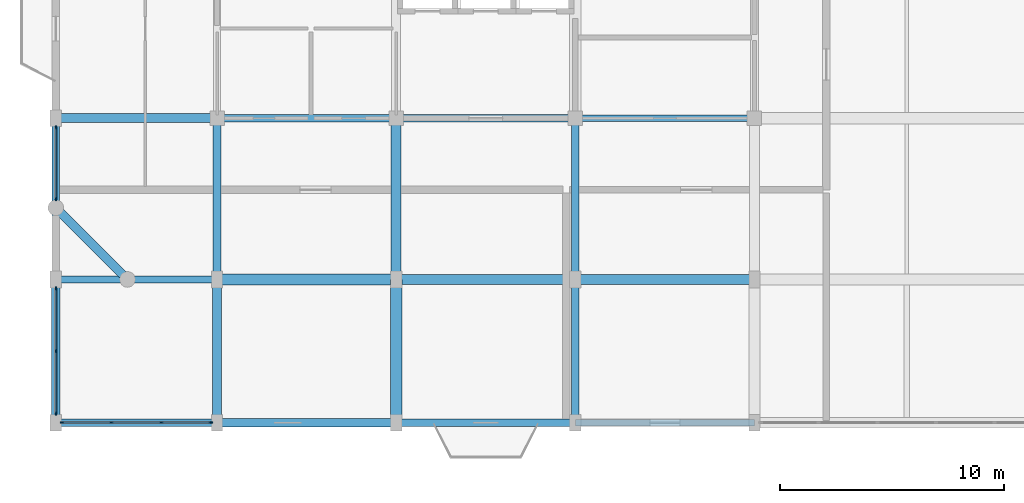
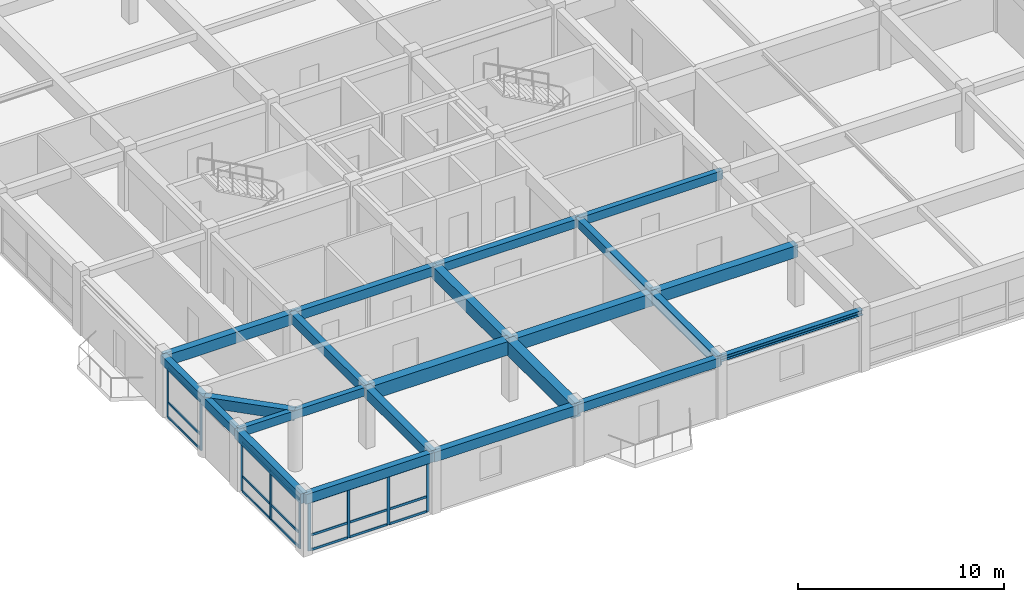
# One storey, part 2 of 13: 27 members, 21 beams, 3 elements without a shape of their own.
"""IFC4 building model written with IfcOpenShell, lengths in metres."""

from ifc_helpers import new_model, si_unit, direction, frame, origin, origin_2d, place, context, subcontext, project, spatial, rectangle, i_section, extrude, material, material_profile, profile_set, type_object, element, aggregate, save


model = new_model("IFC4")

# Units and contexts
model_context = context("Model", 3, precision=1e-05, world=origin(), true_north=direction((0.0, 1.0)))
body_context = subcontext(model_context, "Body", "Model", "MODEL_VIEW")
ifc_project = project(units=[si_unit("LENGTHUNIT", "METRE"), si_unit("AREAUNIT", "SQUARE_METRE"), si_unit("VOLUMEUNIT", "CUBIC_METRE"), si_unit("PLANEANGLEUNIT", "RADIAN"), si_unit("MASSUNIT", "GRAM", prefix="KILO")], contexts=[model_context])

# Site, building, storey
site_placement = place(None, origin())
site = spatial("IfcSite", under=ifc_project, at=site_placement, CompositionType="ELEMENT")
building_placement = place(site_placement, origin())
building = spatial("IfcBuilding", under=site, at=building_placement, Name="Vellmiral Cinema and Media Centre", CompositionType="ELEMENT")
storey_placement = place(building_placement, frame((0.0, 0.0, 43.300048828125)))
storey = spatial("IfcBuildingStorey", under=building, at=storey_placement, Name="L10", CompositionType="ELEMENT", Elevation=43.300048828125)

# Beams
ifc_material_1 = material(Name="Concrete C40/50", Category="concrete")
ifc_material_profile_1 = material_profile(ifc_material_1, rectangle(XDim=0.300048828125, YDim=0.5, at=origin_2d()), Name="RC 300x500")
ifc_profile_set_1 = profile_set([ifc_material_profile_1], Name="Concrete C40/50")
beam_type_1 = type_object("IfcBeamType", Name="BM-RC-300x500", PredefinedType="BEAM", material=ifc_profile_set_1)
beam_1_placement = place(storey_placement, frame((116.800048828125, 72.0, 3.244873046875), z_axis=(1.0, 0.0, 0.0), x_axis=(0.0, 1.0, 0.0)))
element("IfcBeam", 1, at=beam_1_placement, inside=storey, type_object=beam_type_1, Name="Grid Beam L10-X007", PredefinedType="BEAM", context=body_context, shape_type="SweptSolid", body=[
    extrude(rectangle(XDim=0.300048828125, YDim=0.5, at=origin_2d()), origin(), (0.0, 0.0, 1.0), 7.199951171875),
])
beam_2_placement = place(storey_placement, frame((140.0, 79.199951171875, 3.244873046875), z_axis=(1.0, 0.0, 0.0), x_axis=(0.0, 1.0, 0.0)))
element("IfcBeam", 2, at=beam_2_placement, inside=storey, type_object=beam_type_1, Name="Grid Beam L10-X016", PredefinedType="BEAM", context=body_context, shape_type="SweptSolid", body=[
    extrude(rectangle(XDim=0.300048828125, YDim=0.5, at=origin_2d()), origin(), (0.0, 0.0, 1.0), 8.0),
])
ifc_material_2 = material(Name="Concrete C40/50", Category="concrete")
ifc_material_profile_2 = material_profile(ifc_material_2, rectangle(XDim=0.35009765625, YDim=0.5, at=origin_2d()), Name="RC 350x500")
ifc_profile_set_2 = profile_set([ifc_material_profile_2], Name="Concrete C40/50")
beam_type_2 = type_object("IfcBeamType", Name="BM-RC-350x500", PredefinedType="BEAM", material=ifc_profile_set_2)
beam_3_placement = place(storey_placement, frame((132.0, 79.199951171875, 3.244873046875), z_axis=(1.0, 0.0, 0.0), x_axis=(0.0, 1.0, 0.0)))
element("IfcBeam", 3, at=beam_3_placement, inside=storey, type_object=beam_type_2, Name="Grid Beam L10-X015", PredefinedType="BEAM", context=body_context, shape_type="SweptSolid", body=[
    extrude(rectangle(XDim=0.35009765625, YDim=0.5, at=origin_2d()), origin(), (0.0, 0.0, 1.0), 8.0),
])
beam_4_placement = place(storey_placement, frame((140.0, 72.0, 3.244873046875), z_axis=(0.0, 1.0, 0.0), x_axis=(-1.0, 0.0, 0.0)))
element("IfcBeam", 4, at=beam_4_placement, inside=storey, type_object=beam_type_2, Name="Grid Beam L10-Y061", PredefinedType="BEAM", context=body_context, shape_type="SweptSolid", body=[
    extrude(rectangle(XDim=0.35009765625, YDim=0.5, at=origin_2d()), origin(), (0.0, 0.0, 1.0), 7.199951171875),
])
ifc_material_3 = material(Name="Concrete C40/50", Category="concrete")
ifc_material_profile_3 = material_profile(ifc_material_3, rectangle(XDim=0.35009765625, YDim=0.550048828125, at=origin_2d()), Name="RC 350x550")
ifc_profile_set_3 = profile_set([ifc_material_profile_3], Name="Concrete C40/50")
beam_type_3 = type_object("IfcBeamType", Name="BM-RC-350x550", PredefinedType="BEAM", material=ifc_profile_set_3)
beam_5_placement = place(storey_placement, frame((124.0, 79.199951171875, 3.219970703125), z_axis=(1.0, 0.0, 0.0), x_axis=(0.0, 1.0, 0.0)))
element("IfcBeam", 5, at=beam_5_placement, inside=storey, type_object=beam_type_3, Name="Grid Beam L10-X014", PredefinedType="BEAM", context=body_context, shape_type="SweptSolid", body=[
    extrude(rectangle(XDim=0.35009765625, YDim=0.550048828125, at=origin_2d()), origin(), (0.0, 0.0, 1.0), 8.0),
])
beam_6_placement = place(storey_placement, frame((124.0, 72.0, 3.219970703125), z_axis=(0.0, 1.0, 0.0), x_axis=(-1.0, 0.0, 0.0)))
element("IfcBeam", 6, at=beam_6_placement, inside=storey, type_object=beam_type_3, Name="Grid Beam L10-Y049", PredefinedType="BEAM", context=body_context, shape_type="SweptSolid", body=[
    extrude(rectangle(XDim=0.35009765625, YDim=0.550048828125, at=origin_2d()), origin(), (0.0, 0.0, 1.0), 7.199951171875),
])
ifc_material_4 = material(Name="Concrete C40/50", Category="concrete")
ifc_material_profile_4 = material_profile(ifc_material_4, rectangle(XDim=0.35009765625, YDim=0.60009765625, at=origin_2d()), Name="RC 350x600")
ifc_profile_set_4 = profile_set([ifc_material_profile_4], Name="Concrete C40/50")
beam_type_4 = type_object("IfcBeamType", Name="BM-RC-350x600", PredefinedType="BEAM", material=ifc_profile_set_4)
beam_7_placement = place(storey_placement, frame((140.0, 65.60009765625, 3.195068359375), z_axis=(0.0, 1.0, 0.0), x_axis=(-1.0, 0.0, 0.0)))
element("IfcBeam", 7, at=beam_7_placement, inside=storey, type_object=beam_type_4, Name="Grid Beam L10-Y060", PredefinedType="BEAM", context=body_context, shape_type="SweptSolid", body=[
    extrude(rectangle(XDim=0.35009765625, YDim=0.60009765625, at=origin_2d()), origin(), (0.0, 0.0, 1.0), 6.39990234375),
])
ifc_material_5 = material(Name="Concrete C40/50", Category="concrete")
ifc_material_profile_5 = material_profile(ifc_material_5, rectangle(XDim=0.39990234375, YDim=0.60009765625, at=origin_2d()), Name="RC 400x600")
ifc_profile_set_5 = profile_set([ifc_material_profile_5], Name="Concrete C40/50")
beam_type_5 = type_object("IfcBeamType", Name="BM-RC-400x600", PredefinedType="BEAM", material=ifc_profile_set_5)
beam_8_placement = place(storey_placement, frame((124.0, 65.60009765625, 3.195068359375), z_axis=(0.0, 1.0, 0.0), x_axis=(-1.0, 0.0, 0.0)))
element("IfcBeam", 8, at=beam_8_placement, inside=storey, type_object=beam_type_5, Name="Grid Beam L10-Y048", PredefinedType="BEAM", context=body_context, shape_type="SweptSolid", body=[
    extrude(rectangle(XDim=0.39990234375, YDim=0.60009765625, at=origin_2d()), origin(), (0.0, 0.0, 1.0), 6.39990234375),
])
ifc_material_6 = material(Name="Concrete C40/50", Category="concrete")
ifc_material_profile_6 = material_profile(ifc_material_6, rectangle(XDim=0.39990234375, YDim=0.64990234375, at=origin_2d()), Name="RC 400x650")
ifc_profile_set_6 = profile_set([ifc_material_profile_6], Name="Concrete C40/50")
beam_type_6 = type_object("IfcBeamType", Name="BM-RC-400x650", PredefinedType="BEAM", material=ifc_profile_set_6)
beam_9_placement = place(storey_placement, frame((116.800048828125, 79.199951171875, 3.169921875), z_axis=(1.0, 0.0, 0.0), x_axis=(0.0, 1.0, 0.0)))
element("IfcBeam", 9, at=beam_9_placement, inside=storey, type_object=beam_type_6, Name="Grid Beam L10-X013", PredefinedType="BEAM", context=body_context, shape_type="SweptSolid", body=[
    extrude(rectangle(XDim=0.39990234375, YDim=0.64990234375, at=origin_2d()), origin(), (0.0, 0.0, 1.0), 7.199951171875),
])
ifc_material_7 = material(Name="Concrete C40/50", Category="concrete")
ifc_material_profile_7 = material_profile(ifc_material_7, rectangle(XDim=0.449951171875, YDim=0.699951171875, at=origin_2d()), Name="RC 450x700")
ifc_profile_set_7 = profile_set([ifc_material_profile_7], Name="Concrete C40/50")
beam_type_7 = type_object("IfcBeamType", Name="BM-RC-450x700", PredefinedType="BEAM", material=ifc_profile_set_7)
beam_10_placement = place(storey_placement, frame((140.0, 72.0, 3.14501953125), z_axis=(1.0, 0.0, 0.0), x_axis=(0.0, 1.0, 0.0)))
element("IfcBeam", 10, at=beam_10_placement, inside=storey, type_object=beam_type_7, Name="Grid Beam L10-X010", PredefinedType="BEAM", context=body_context, shape_type="SweptSolid", body=[
    extrude(rectangle(XDim=0.449951171875, YDim=0.699951171875, at=origin_2d()), origin(), (0.0, 0.0, 1.0), 8.0),
])
ifc_material_8 = material(Name="Concrete C40/50", Category="concrete")
ifc_material_profile_8 = material_profile(ifc_material_8, rectangle(XDim=0.449951171875, YDim=0.75, at=origin_2d()), Name="RC 450x750")
ifc_profile_set_8 = profile_set([ifc_material_profile_8], Name="Concrete C40/50")
beam_type_8 = type_object("IfcBeamType", Name="BM-RC-450x750", PredefinedType="BEAM", material=ifc_profile_set_8)
beam_11_placement = place(storey_placement, frame((132.0, 72.0, 3.119873046875), z_axis=(1.0, 0.0, 0.0), x_axis=(0.0, 1.0, 0.0)))
element("IfcBeam", 11, at=beam_11_placement, inside=storey, type_object=beam_type_8, Name="Grid Beam L10-X009", PredefinedType="BEAM", context=body_context, shape_type="SweptSolid", body=[
    extrude(rectangle(XDim=0.449951171875, YDim=0.75, at=origin_2d()), origin(), (0.0, 0.0, 1.0), 8.0),
])
beam_12_placement = place(storey_placement, frame((132.0, 72.0, 3.119873046875), z_axis=(0.0, 1.0, 0.0), x_axis=(-1.0, 0.0, 0.0)))
element("IfcBeam", 12, at=beam_12_placement, inside=storey, type_object=beam_type_8, Name="Grid Beam L10-Y055", PredefinedType="BEAM", context=body_context, shape_type="SweptSolid", body=[
    extrude(rectangle(XDim=0.449951171875, YDim=0.75, at=origin_2d()), origin(), (0.0, 0.0, 1.0), 7.199951171875),
])
ifc_material_9 = material(Name="Concrete C40/50", Category="concrete")
ifc_material_profile_9 = material_profile(ifc_material_9, rectangle(XDim=0.5, YDim=0.800048828125, at=origin_2d()), Name="RC 500x800")
ifc_profile_set_9 = profile_set([ifc_material_profile_9], Name="Concrete C40/50")
beam_type_9 = type_object("IfcBeamType", Name="BM-RC-500x800", PredefinedType="BEAM", material=ifc_profile_set_9)
beam_13_placement = place(storey_placement, frame((124.0, 72.0, 3.094970703125), z_axis=(1.0, 0.0, 0.0), x_axis=(0.0, 1.0, 0.0)))
element("IfcBeam", 13, at=beam_13_placement, inside=storey, type_object=beam_type_9, Name="Grid Beam L10-X008", PredefinedType="BEAM", context=body_context, shape_type="SweptSolid", body=[
    extrude(rectangle(XDim=0.5, YDim=0.800048828125, at=origin_2d()), origin(), (0.0, 0.0, 1.0), 8.0),
])
ifc_material_10 = material(Name="Concrete C40/50", Category="concrete")
ifc_material_profile_10 = material_profile(ifc_material_10, rectangle(XDim=0.5, YDim=0.85009765625, at=origin_2d()), Name="RC 500x850")
ifc_profile_set_10 = profile_set([ifc_material_profile_10], Name="Concrete C40/50")
beam_type_10 = type_object("IfcBeamType", Name="BM-RC-500x850", PredefinedType="BEAM", material=ifc_profile_set_10)
beam_14_placement = place(storey_placement, frame((132.0, 65.60009765625, 3.070068359375), z_axis=(0.0, 1.0, 0.0), x_axis=(-1.0, 0.0, 0.0)))
element("IfcBeam", 14, at=beam_14_placement, inside=storey, type_object=beam_type_10, Name="Grid Beam L10-Y054", PredefinedType="BEAM", context=body_context, shape_type="SweptSolid", body=[
    extrude(rectangle(XDim=0.5, YDim=0.85009765625, at=origin_2d()), origin(), (0.0, 0.0, 1.0), 6.39990234375),
])

# Curtain wall, members
ifc_material_11 = material(Name="Thermally Broken Aluminium and Triple Glazing", Category="aluminium")
curtain_wall_type_1 = type_object("IfcCurtainWallType", Name="CW-TOWER-MID-E", PredefinedType="USERDEFINED", material=ifc_material_11)
curtain_wall_1_placement = place(storey_placement, origin())
curtain_wall_1 = element("IfcCurtainWall", 15, at=curtain_wall_1_placement, inside=storey, type_object=curtain_wall_type_1, Name="Curtain Wall L10-B001", ObjectType="UNITISED CURTAIN WALL", PredefinedType="USERDEFINED")
ifc_material_12 = material(Name="Thermally Broken Anodised Aluminium", Category="aluminium")
ifc_material_profile_11 = material_profile(ifc_material_12, rectangle(XDim=0.06494140625, YDim=0.159912109375, at=origin_2d()), Name="MULL 65x160")
ifc_profile_set_11 = profile_set([ifc_material_profile_11], Name="Thermally Broken Anodised Aluminium")
member_type_1 = type_object("IfcMemberType", Name="CWM-65x160", PredefinedType="MULLION", material=ifc_profile_set_11)
member_1_placement = place(storey_placement, frame((117.08251953125, 65.60009765625, 0.0), z_axis=(0.0, 0.0, 1.0), x_axis=(0.0, 1.0, 0.0)))
member_1 = element("IfcMember", 16, at=member_1_placement, type_object=member_type_1, Name="CW-07 mullion 1", PredefinedType="MULLION", context=body_context, shape_type="SweptSolid", body=[
    extrude(rectangle(XDim=0.06494140625, YDim=0.159912109375, at=origin_2d()), origin(), (0.0, 0.0, 1.0), 2.89990234375),
])
member_2_placement = place(storey_placement, frame((119.283447265625, 65.60009765625, 0.0), z_axis=(0.0, 0.0, 1.0), x_axis=(0.0, 1.0, 0.0)))
member_2 = element("IfcMember", 17, at=member_2_placement, type_object=member_type_1, Name="CW-07 mullion 2", PredefinedType="MULLION", context=body_context, shape_type="SweptSolid", body=[
    extrude(rectangle(XDim=0.06494140625, YDim=0.159912109375, at=origin_2d()), origin(), (0.0, 0.0, 1.0), 2.89990234375),
])
member_3_placement = place(storey_placement, frame((121.5166015625, 65.60009765625, 0.0), z_axis=(0.0, 0.0, 1.0), x_axis=(0.0, 1.0, 0.0)))
member_3 = element("IfcMember", 18, at=member_3_placement, type_object=member_type_1, Name="CW-07 mullion 3", PredefinedType="MULLION", context=body_context, shape_type="SweptSolid", body=[
    extrude(rectangle(XDim=0.06494140625, YDim=0.159912109375, at=origin_2d()), origin(), (0.0, 0.0, 1.0), 2.89990234375),
])
member_4_placement = place(storey_placement, frame((123.717529296875, 65.60009765625, 0.0), z_axis=(0.0, 0.0, 1.0), x_axis=(0.0, 1.0, 0.0)))
member_4 = element("IfcMember", 19, at=member_4_placement, type_object=member_type_1, Name="CW-07 mullion 4", PredefinedType="MULLION", context=body_context, shape_type="SweptSolid", body=[
    extrude(rectangle(XDim=0.06494140625, YDim=0.159912109375, at=origin_2d()), origin(), (0.0, 0.0, 1.0), 2.89990234375),
])

ifc_material_13 = material(Name="Thermally Broken Aluminium and Triple Glazing", Category="aluminium")
curtain_wall_type_2 = type_object("IfcCurtainWallType", Name="CW-TOWER-MID-W", PredefinedType="USERDEFINED", material=ifc_material_13)
curtain_wall_2_placement = place(storey_placement, origin())
curtain_wall_2 = element("IfcCurtainWall", 20, at=curtain_wall_2_placement, inside=storey, type_object=curtain_wall_type_2, Name="Curtain Wall L10-B027", ObjectType="UNITISED CURTAIN WALL", PredefinedType="USERDEFINED")
member_5_placement = place(storey_placement, frame((116.800048828125, 78.79248046875, 0.0), z_axis=(0.0, 0.0, 1.0), x_axis=(1.0, 0.0, 0.0)))
member_5 = element("IfcMember", 21, at=member_5_placement, type_object=member_type_1, Name="CW-08 mullion 1", PredefinedType="MULLION", context=body_context, shape_type="SweptSolid", body=[
    extrude(rectangle(XDim=0.06494140625, YDim=0.159912109375, at=origin_2d()), origin(), (0.0, 0.0, 1.0), 2.89990234375),
])
member_6_placement = place(storey_placement, frame((116.800048828125, 75.58251953125, 0.0), z_axis=(0.0, 0.0, 1.0), x_axis=(1.0, 0.0, 0.0)))
member_6 = element("IfcMember", 22, at=member_6_placement, type_object=member_type_1, Name="CW-08 mullion 2", PredefinedType="MULLION", context=body_context, shape_type="SweptSolid", body=[
    extrude(rectangle(XDim=0.06494140625, YDim=0.159912109375, at=origin_2d()), origin(), (0.0, 0.0, 1.0), 2.89990234375),
])

curtain_wall_3_placement = place(storey_placement, origin())
curtain_wall_3 = element("IfcCurtainWall", 23, at=curtain_wall_3_placement, inside=storey, type_object=curtain_wall_type_2, Name="Curtain Wall L10-B029", ObjectType="UNITISED CURTAIN WALL", PredefinedType="USERDEFINED")
member_7_placement = place(storey_placement, frame((116.800048828125, 71.592529296875, 0.0), z_axis=(0.0, 0.0, 1.0), x_axis=(1.0, 0.0, 0.0)))
member_7 = element("IfcMember", 24, at=member_7_placement, type_object=member_type_1, Name="CW-08 mullion 1", PredefinedType="MULLION", context=body_context, shape_type="SweptSolid", body=[
    extrude(rectangle(XDim=0.06494140625, YDim=0.159912109375, at=origin_2d()), origin(), (0.0, 0.0, 1.0), 2.89990234375),
])
member_8_placement = place(storey_placement, frame((116.800048828125, 68.800048828125, 0.0), z_axis=(0.0, 0.0, 1.0), x_axis=(1.0, 0.0, 0.0)))
member_8 = element("IfcMember", 25, at=member_8_placement, type_object=member_type_1, Name="CW-08 mullion 2", PredefinedType="MULLION", context=body_context, shape_type="SweptSolid", body=[
    extrude(rectangle(XDim=0.06494140625, YDim=0.159912109375, at=origin_2d()), origin(), (0.0, 0.0, 1.0), 2.89990234375),
])
member_9_placement = place(storey_placement, frame((116.800048828125, 66.007568359375, 0.0), z_axis=(0.0, 0.0, 1.0), x_axis=(1.0, 0.0, 0.0)))
member_9 = element("IfcMember", 26, at=member_9_placement, type_object=member_type_1, Name="CW-08 mullion 3", PredefinedType="MULLION", context=body_context, shape_type="SweptSolid", body=[
    extrude(rectangle(XDim=0.06494140625, YDim=0.159912109375, at=origin_2d()), origin(), (0.0, 0.0, 1.0), 2.89990234375),
])

# Member
ifc_material_14 = material(Name="Thermally Broken Anodised Aluminium", Category="aluminium")
ifc_material_profile_12 = material_profile(ifc_material_14, rectangle(XDim=0.06494140625, YDim=0.135009765625, at=origin_2d()), Name="MULL 65x135")
ifc_profile_set_12 = profile_set([ifc_material_profile_12], Name="Thermally Broken Anodised Aluminium")
member_type_2 = type_object("IfcMemberType", Name="CWT-65x135", PredefinedType="USERDEFINED", material=ifc_profile_set_12)
member_10_placement = place(storey_placement, frame((117.114990234375, 65.60009765625, 0.032470703125), z_axis=(1.0, 0.0, 0.0), x_axis=(0.0, 1.0, 0.0)))
member_10 = element("IfcMember", 27, at=member_10_placement, type_object=member_type_2, Name="CW-07 transom 1.1", ObjectType="TRANSOM", PredefinedType="USERDEFINED", context=body_context, shape_type="SweptSolid", body=[
    extrude(rectangle(XDim=0.06494140625, YDim=0.135009765625, at=origin_2d()), origin(), (0.0, 0.0, 1.0), 2.1357421875),
])

member_11_placement = place(storey_placement, frame((117.114990234375, 65.60009765625, 0.89990234375), z_axis=(1.0, 0.0, 0.0), x_axis=(0.0, 1.0, 0.0)))
member_11 = element("IfcMember", 28, at=member_11_placement, type_object=member_type_2, Name="CW-07 transom 1.2", ObjectType="TRANSOM", PredefinedType="USERDEFINED", context=body_context, shape_type="SweptSolid", body=[
    extrude(rectangle(XDim=0.06494140625, YDim=0.135009765625, at=origin_2d()), origin(), (0.0, 0.0, 1.0), 2.1357421875),
])

member_12_placement = place(storey_placement, frame((117.114990234375, 65.60009765625, 2.867431640625), z_axis=(1.0, 0.0, 0.0), x_axis=(0.0, 1.0, 0.0)))
member_12 = element("IfcMember", 29, at=member_12_placement, type_object=member_type_2, Name="CW-07 transom 1.3", ObjectType="TRANSOM", PredefinedType="USERDEFINED", context=body_context, shape_type="SweptSolid", body=[
    extrude(rectangle(XDim=0.06494140625, YDim=0.135009765625, at=origin_2d()), origin(), (0.0, 0.0, 1.0), 2.1357421875),
])

member_13_placement = place(storey_placement, frame((119.31591796875, 65.60009765625, 0.032470703125), z_axis=(1.0, 0.0, 0.0), x_axis=(0.0, 1.0, 0.0)))
member_13 = element("IfcMember", 30, at=member_13_placement, type_object=member_type_2, Name="CW-07 transom 2.1", ObjectType="TRANSOM", PredefinedType="USERDEFINED", context=body_context, shape_type="SweptSolid", body=[
    extrude(rectangle(XDim=0.06494140625, YDim=0.135009765625, at=origin_2d()), origin(), (0.0, 0.0, 1.0), 2.168212890625),
])

member_14_placement = place(storey_placement, frame((119.31591796875, 65.60009765625, 0.89990234375), z_axis=(1.0, 0.0, 0.0), x_axis=(0.0, 1.0, 0.0)))
member_14 = element("IfcMember", 31, at=member_14_placement, type_object=member_type_2, Name="CW-07 transom 2.2", ObjectType="TRANSOM", PredefinedType="USERDEFINED", context=body_context, shape_type="SweptSolid", body=[
    extrude(rectangle(XDim=0.06494140625, YDim=0.135009765625, at=origin_2d()), origin(), (0.0, 0.0, 1.0), 2.168212890625),
])

member_15_placement = place(storey_placement, frame((119.31591796875, 65.60009765625, 2.867431640625), z_axis=(1.0, 0.0, 0.0), x_axis=(0.0, 1.0, 0.0)))
member_15 = element("IfcMember", 32, at=member_15_placement, type_object=member_type_2, Name="CW-07 transom 2.3", ObjectType="TRANSOM", PredefinedType="USERDEFINED", context=body_context, shape_type="SweptSolid", body=[
    extrude(rectangle(XDim=0.06494140625, YDim=0.135009765625, at=origin_2d()), origin(), (0.0, 0.0, 1.0), 2.168212890625),
])

member_16_placement = place(storey_placement, frame((121.549072265625, 65.60009765625, 0.032470703125), z_axis=(1.0, 0.0, 0.0), x_axis=(0.0, 1.0, 0.0)))
member_16 = element("IfcMember", 33, at=member_16_placement, type_object=member_type_2, Name="CW-07 transom 3.1", ObjectType="TRANSOM", PredefinedType="USERDEFINED", context=body_context, shape_type="SweptSolid", body=[
    extrude(rectangle(XDim=0.06494140625, YDim=0.135009765625, at=origin_2d()), origin(), (0.0, 0.0, 1.0), 2.135986328125),
])

member_17_placement = place(storey_placement, frame((121.549072265625, 65.60009765625, 0.89990234375), z_axis=(1.0, 0.0, 0.0), x_axis=(0.0, 1.0, 0.0)))
member_17 = element("IfcMember", 34, at=member_17_placement, type_object=member_type_2, Name="CW-07 transom 3.2", ObjectType="TRANSOM", PredefinedType="USERDEFINED", context=body_context, shape_type="SweptSolid", body=[
    extrude(rectangle(XDim=0.06494140625, YDim=0.135009765625, at=origin_2d()), origin(), (0.0, 0.0, 1.0), 2.135986328125),
])

member_18_placement = place(storey_placement, frame((121.549072265625, 65.60009765625, 2.867431640625), z_axis=(1.0, 0.0, 0.0), x_axis=(0.0, 1.0, 0.0)))
member_18 = element("IfcMember", 35, at=member_18_placement, type_object=member_type_2, Name="CW-07 transom 3.3", ObjectType="TRANSOM", PredefinedType="USERDEFINED", context=body_context, shape_type="SweptSolid", body=[
    extrude(rectangle(XDim=0.06494140625, YDim=0.135009765625, at=origin_2d()), origin(), (0.0, 0.0, 1.0), 2.135986328125),
])

aggregate(curtain_wall_1, [member_1, member_2, member_3, member_4, member_10, member_11, member_12, member_13, member_14, member_15, member_16, member_17, member_18])

member_19_placement = place(storey_placement, frame((116.800048828125, 78.760009765625, 0.032470703125), z_axis=(0.0, -1.0, 0.0), x_axis=(1.0, 0.0, 0.0)))
member_19 = element("IfcMember", 36, at=member_19_placement, type_object=member_type_2, Name="CW-08 transom 1.1", ObjectType="TRANSOM", PredefinedType="USERDEFINED", context=body_context, shape_type="SweptSolid", body=[
    extrude(rectangle(XDim=0.06494140625, YDim=0.135009765625, at=origin_2d()), origin(), (0.0, 0.0, 1.0), 3.14501953125),
])

member_20_placement = place(storey_placement, frame((116.800048828125, 78.760009765625, 0.89990234375), z_axis=(0.0, -1.0, 0.0), x_axis=(1.0, 0.0, 0.0)))
member_20 = element("IfcMember", 37, at=member_20_placement, type_object=member_type_2, Name="CW-08 transom 1.2", ObjectType="TRANSOM", PredefinedType="USERDEFINED", context=body_context, shape_type="SweptSolid", body=[
    extrude(rectangle(XDim=0.06494140625, YDim=0.135009765625, at=origin_2d()), origin(), (0.0, 0.0, 1.0), 3.14501953125),
])

member_21_placement = place(storey_placement, frame((116.800048828125, 78.760009765625, 2.867431640625), z_axis=(0.0, -1.0, 0.0), x_axis=(1.0, 0.0, 0.0)))
member_21 = element("IfcMember", 38, at=member_21_placement, type_object=member_type_2, Name="CW-08 transom 1.3", ObjectType="TRANSOM", PredefinedType="USERDEFINED", context=body_context, shape_type="SweptSolid", body=[
    extrude(rectangle(XDim=0.06494140625, YDim=0.135009765625, at=origin_2d()), origin(), (0.0, 0.0, 1.0), 3.14501953125),
])

aggregate(curtain_wall_2, [member_5, member_6, member_19, member_20, member_21])

member_22_placement = place(storey_placement, frame((116.800048828125, 71.56005859375, 0.032470703125), z_axis=(0.0, -1.0, 0.0), x_axis=(1.0, 0.0, 0.0)))
member_22 = element("IfcMember", 39, at=member_22_placement, type_object=member_type_2, Name="CW-08 transom 1.1", ObjectType="TRANSOM", PredefinedType="USERDEFINED", context=body_context, shape_type="SweptSolid", body=[
    extrude(rectangle(XDim=0.06494140625, YDim=0.135009765625, at=origin_2d()), origin(), (0.0, 0.0, 1.0), 2.7275390625),
])

member_23_placement = place(storey_placement, frame((116.800048828125, 71.56005859375, 0.89990234375), z_axis=(0.0, -1.0, 0.0), x_axis=(1.0, 0.0, 0.0)))
member_23 = element("IfcMember", 40, at=member_23_placement, type_object=member_type_2, Name="CW-08 transom 1.2", ObjectType="TRANSOM", PredefinedType="USERDEFINED", context=body_context, shape_type="SweptSolid", body=[
    extrude(rectangle(XDim=0.06494140625, YDim=0.135009765625, at=origin_2d()), origin(), (0.0, 0.0, 1.0), 2.7275390625),
])

member_24_placement = place(storey_placement, frame((116.800048828125, 71.56005859375, 2.867431640625), z_axis=(0.0, -1.0, 0.0), x_axis=(1.0, 0.0, 0.0)))
member_24 = element("IfcMember", 41, at=member_24_placement, type_object=member_type_2, Name="CW-08 transom 1.3", ObjectType="TRANSOM", PredefinedType="USERDEFINED", context=body_context, shape_type="SweptSolid", body=[
    extrude(rectangle(XDim=0.06494140625, YDim=0.135009765625, at=origin_2d()), origin(), (0.0, 0.0, 1.0), 2.7275390625),
])

member_25_placement = place(storey_placement, frame((116.800048828125, 68.767578125, 0.032470703125), z_axis=(0.0, -1.0, 0.0), x_axis=(1.0, 0.0, 0.0)))
member_25 = element("IfcMember", 42, at=member_25_placement, type_object=member_type_2, Name="CW-08 transom 2.1", ObjectType="TRANSOM", PredefinedType="USERDEFINED", context=body_context, shape_type="SweptSolid", body=[
    extrude(rectangle(XDim=0.06494140625, YDim=0.135009765625, at=origin_2d()), origin(), (0.0, 0.0, 1.0), 2.7275390625),
])

member_26_placement = place(storey_placement, frame((116.800048828125, 68.767578125, 0.89990234375), z_axis=(0.0, -1.0, 0.0), x_axis=(1.0, 0.0, 0.0)))
member_26 = element("IfcMember", 43, at=member_26_placement, type_object=member_type_2, Name="CW-08 transom 2.2", ObjectType="TRANSOM", PredefinedType="USERDEFINED", context=body_context, shape_type="SweptSolid", body=[
    extrude(rectangle(XDim=0.06494140625, YDim=0.135009765625, at=origin_2d()), origin(), (0.0, 0.0, 1.0), 2.7275390625),
])

member_27_placement = place(storey_placement, frame((116.800048828125, 68.767578125, 2.867431640625), z_axis=(0.0, -1.0, 0.0), x_axis=(1.0, 0.0, 0.0)))
member_27 = element("IfcMember", 44, at=member_27_placement, type_object=member_type_2, Name="CW-08 transom 2.3", ObjectType="TRANSOM", PredefinedType="USERDEFINED", context=body_context, shape_type="SweptSolid", body=[
    extrude(rectangle(XDim=0.06494140625, YDim=0.135009765625, at=origin_2d()), origin(), (0.0, 0.0, 1.0), 2.7275390625),
])

aggregate(curtain_wall_3, [member_7, member_8, member_9, member_22, member_23, member_24, member_25, member_26, member_27])

# Beams
ifc_material_15 = material(Name="Steel S355", Category="steel")
ifc_material_profile_13 = material_profile(ifc_material_15, i_section(OverallWidth=0.300048828125, OverallDepth=0.300048828125, WebThickness=0.010986328125, FlangeThickness=0.01904296875, FilletRadius=0.027099609375, at=origin_2d()), Name="HEB 300")
ifc_profile_set_13 = profile_set([ifc_material_profile_13], Name="Steel S355")
beam_type_11 = type_object("IfcBeamType", Name="SBM-HEB300", PredefinedType="SPANDREL", material=ifc_profile_set_13)
beam_15_placement = place(storey_placement, frame((140.0, 65.60009765625, 3.344970703125), z_axis=(1.0, 0.0, 0.0), x_axis=(0.0, 1.0, 0.0)))
element("IfcBeam", 45, at=beam_15_placement, inside=storey, type_object=beam_type_11, Name="Grid Beam L10-X004", PredefinedType="SPANDREL", context=body_context, shape_type="SweptSolid", body=[
    extrude(i_section(OverallWidth=0.300048828125, OverallDepth=0.300048828125, WebThickness=0.010986328125, FlangeThickness=0.01904296875, FilletRadius=0.027099609375, at=origin_2d()), origin(), (0.0, 0.0, 1.0), 8.0),
])
ifc_material_16 = material(Name="Concrete C40/50", Category="concrete")
ifc_material_profile_14 = material_profile(ifc_material_16, rectangle(XDim=0.35009765625, YDim=0.56005859375, at=origin_2d()), Name="RC 350x560")
ifc_profile_set_14 = profile_set([ifc_material_profile_14], Name="Concrete C40/50")
beam_type_12 = type_object("IfcBeamType", Name="SPD-RC-350x560", PredefinedType="SPANDREL", material=ifc_profile_set_14)
beam_16_placement = place(storey_placement, frame((116.800048828125, 65.60009765625, 3.21484375), z_axis=(1.0, 0.0, 0.0), x_axis=(0.0, 1.0, 0.0)))
element("IfcBeam", 46, at=beam_16_placement, inside=storey, type_object=beam_type_12, Name="Grid Beam L10-X001", PredefinedType="SPANDREL", context=body_context, shape_type="SweptSolid", body=[
    extrude(rectangle(XDim=0.35009765625, YDim=0.56005859375, at=origin_2d()), origin(), (0.0, 0.0, 1.0), 7.199951171875),
])
ifc_material_17 = material(Name="Concrete C40/50", Category="concrete")
ifc_material_profile_15 = material_profile(ifc_material_17, rectangle(XDim=0.39990234375, YDim=0.60009765625, at=origin_2d()), Name="RC 400x600")
ifc_profile_set_15 = profile_set([ifc_material_profile_15], Name="Concrete C40/50")
beam_type_13 = type_object("IfcBeamType", Name="SPD-RC-400x600", PredefinedType="SPANDREL", material=ifc_profile_set_15)
beam_17_placement = place(storey_placement, frame((116.800048828125, 75.199951171875, 3.195068359375), z_axis=(0.707106781187, -0.707106781187, 0.0), x_axis=(0.707106781187, 0.707106781187, 0.0)))
element("IfcBeam", 47, at=beam_17_placement, inside=storey, type_object=beam_type_13, Name="Xamfra Chamfer Spandrel Beam L10-083", PredefinedType="SPANDREL", context=body_context, shape_type="SweptSolid", body=[
    extrude(rectangle(XDim=0.39990234375, YDim=0.60009765625, at=origin_2d()), origin(), (0.0, 0.0, 1.0), 4.525390625),
])
ifc_material_18 = material(Name="Vosges Red Sandstone Masonry", Category="masonry")
ifc_material_profile_16 = material_profile(ifc_material_18, rectangle(XDim=0.340087890625, YDim=0.52001953125, at=origin_2d()), Name="SAND 340x520")
ifc_profile_set_16 = profile_set([ifc_material_profile_16], Name="Vosges Red Sandstone Masonry")
beam_type_14 = type_object("IfcBeamType", Name="SPD-SAND-340x520", PredefinedType="SPANDREL", material=ifc_profile_set_16)
beam_18_placement = place(storey_placement, frame((132.0, 65.60009765625, 3.23486328125), z_axis=(1.0, 0.0, 0.0), x_axis=(0.0, 1.0, 0.0)))
element("IfcBeam", 48, at=beam_18_placement, inside=storey, type_object=beam_type_14, Name="Grid Beam L10-X003", PredefinedType="SPANDREL", context=body_context, shape_type="SweptSolid", body=[
    extrude(rectangle(XDim=0.340087890625, YDim=0.52001953125, at=origin_2d()), origin(), (0.0, 0.0, 1.0), 8.0),
])
beam_19_placement = place(storey_placement, frame((116.800048828125, 72.0, 3.23486328125), z_axis=(0.0, 1.0, 0.0), x_axis=(-1.0, 0.0, 0.0)))
element("IfcBeam", 49, at=beam_19_placement, inside=storey, type_object=beam_type_14, Name="Grid Beam L10-Y043", PredefinedType="SPANDREL", context=body_context, shape_type="SweptSolid", body=[
    extrude(rectangle(XDim=0.340087890625, YDim=0.52001953125, at=origin_2d()), origin(), (0.0, 0.0, 1.0), 7.199951171875),
])
ifc_material_19 = material(Name="Vosges Red Sandstone Masonry", Category="masonry")
ifc_material_profile_17 = material_profile(ifc_material_19, rectangle(XDim=0.3798828125, YDim=0.580078125, at=origin_2d()), Name="SAND 380x580")
ifc_profile_set_17 = profile_set([ifc_material_profile_17], Name="Vosges Red Sandstone Masonry")
beam_type_15 = type_object("IfcBeamType", Name="SPD-SAND-380x580", PredefinedType="SPANDREL", material=ifc_profile_set_17)
beam_20_placement = place(storey_placement, frame((124.0, 65.60009765625, 3.204833984375), z_axis=(1.0, 0.0, 0.0), x_axis=(0.0, 1.0, 0.0)))
element("IfcBeam", 50, at=beam_20_placement, inside=storey, type_object=beam_type_15, Name="Grid Beam L10-X002", PredefinedType="SPANDREL", context=body_context, shape_type="SweptSolid", body=[
    extrude(rectangle(XDim=0.3798828125, YDim=0.580078125, at=origin_2d()), origin(), (0.0, 0.0, 1.0), 8.0),
])
beam_21_placement = place(storey_placement, frame((116.800048828125, 65.60009765625, 3.204833984375), z_axis=(0.0, 1.0, 0.0), x_axis=(-1.0, 0.0, 0.0)))
element("IfcBeam", 51, at=beam_21_placement, inside=storey, type_object=beam_type_15, Name="Grid Beam L10-Y042", PredefinedType="SPANDREL", context=body_context, shape_type="SweptSolid", body=[
    extrude(rectangle(XDim=0.3798828125, YDim=0.580078125, at=origin_2d()), origin(), (0.0, 0.0, 1.0), 6.39990234375),
])

save(model, "model.ifc")
